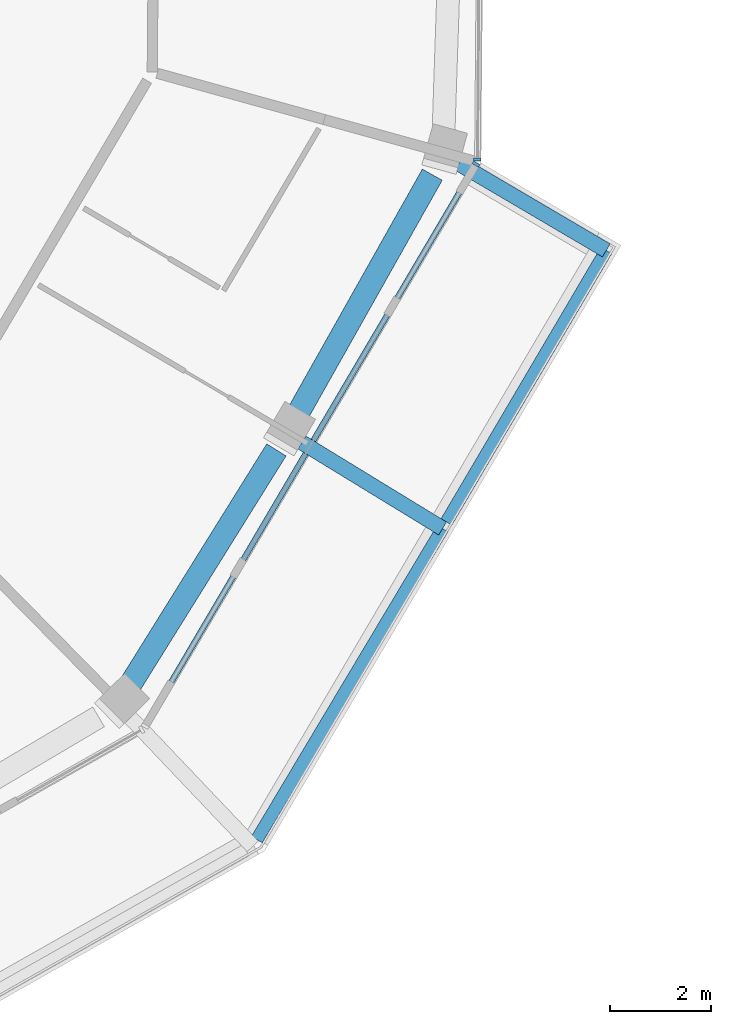
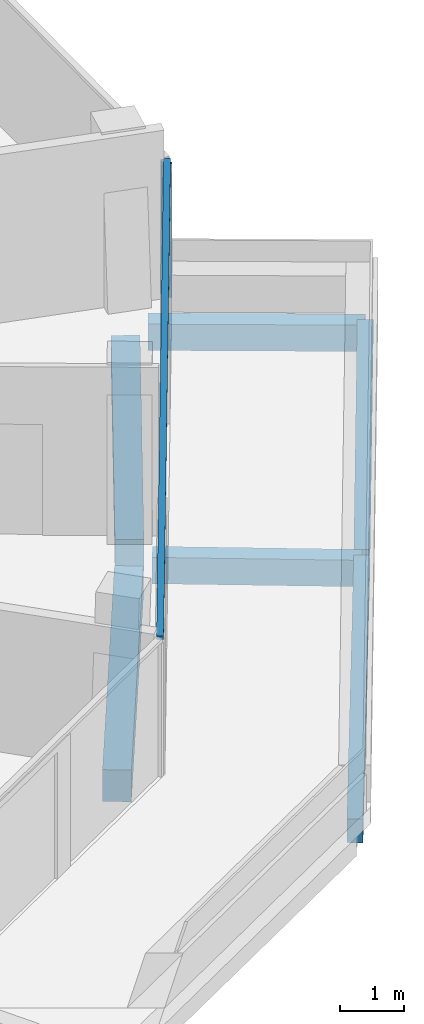
# One storey, part 5 of 24: 6 beams, 3 members, 2 elements without a shape of their own.
"""IFC4 building model written with IfcOpenShell, lengths in metres."""

from ifc_helpers import new_model, si_unit, direction, frame, origin, origin_2d, place, context, subcontext, project, spatial, rectangle, extrude, material, layer, layer_set, material_profile, profile_set, type_object, element, aggregate, save


model = new_model("IFC4")

# Units and contexts
model_context = context("Model", 3, precision=1e-05, world=origin(), true_north=direction((0.0, 1.0)))
body_context = subcontext(model_context, "Body", "Model", "MODEL_VIEW")
ifc_project = project(units=[si_unit("LENGTHUNIT", "METRE"), si_unit("AREAUNIT", "SQUARE_METRE"), si_unit("VOLUMEUNIT", "CUBIC_METRE"), si_unit("PLANEANGLEUNIT", "RADIAN"), si_unit("MASSUNIT", "GRAM", prefix="KILO")], contexts=[model_context])

# Site, building, storey
site_placement = place(None, origin())
site = spatial("IfcSite", under=ifc_project, at=site_placement, CompositionType="ELEMENT")
building_placement = place(site_placement, origin())
building = spatial("IfcBuilding", under=site, at=building_placement, Name="Verdalira Terraces Hotel", CompositionType="ELEMENT")
storey_placement = place(building_placement, frame((0.0, 0.0, 277.5)))
storey = spatial("IfcBuildingStorey", under=building, at=storey_placement, Name="L68", CompositionType="ELEMENT", Elevation=277.5)

# Beams
ifc_material_1 = material(Name="Concrete C40", Category="concrete")
ifc_material_profile_1 = material_profile(ifc_material_1, rectangle(XDim=0.300049, YDim=0.5, at=origin_2d()), Name="RC 300X500")
ifc_profile_set_1 = profile_set([ifc_material_profile_1], Name="Concrete C40")
beam_type_1 = type_object("IfcBeamType", Name="Balcony cantilever beam RC 300X500 C40", PredefinedType="BEAM", material=ifc_profile_set_1)
beam_1_placement = place(storey_placement, frame((20.669434, -12.213135, -0.560059), z_axis=(0.853209426, -0.521568477, 0.0), x_axis=(0.521568477, 0.853209426, 0.0)))
element("IfcBeam", 1, at=beam_1_placement, inside=storey, type_object=beam_type_1, Name="Balcony cantilever beam R25-4", PredefinedType="BEAM", context=body_context, shape_type="SweptSolid", body=[
    extrude(rectangle(XDim=0.300049, YDim=0.5, at=origin_2d()), origin(), (0.0, 0.0, 1.0), 3.250977),
])
beam_2_placement = place(storey_placement, frame((23.765625, -6.716309, -0.560059), z_axis=(0.86181501, -0.50722272, 0.0), x_axis=(0.50722272, 0.86181501, 0.0)))
element("IfcBeam", 2, at=beam_2_placement, inside=storey, type_object=beam_type_1, Name="Balcony cantilever beam R25-5", PredefinedType="BEAM", context=body_context, shape_type="SweptSolid", body=[
    extrude(rectangle(XDim=0.300049, YDim=0.5, at=origin_2d()), origin(), (0.0, 0.0, 1.0), 3.370361),
])
ifc_material_2 = material(Name="Concrete C40", Category="concrete")
ifc_material_profile_2 = material_profile(ifc_material_2, rectangle(XDim=0.25, YDim=0.449951, at=origin_2d()), Name="RC 250X450")
ifc_profile_set_2 = profile_set([ifc_material_profile_2], Name="Concrete C40")
beam_type_2 = type_object("IfcBeamType", Name="Balcony edge beam RC 250X450 C40", PredefinedType="BEAM", material=ifc_profile_set_2)
beam_3_placement = place(storey_placement, frame((19.780029, -20.042969, -0.534912), z_axis=(0.512695642, 0.858570427, 0.0), x_axis=(-0.858570427, 0.512695642, 0.0)))
element("IfcBeam", 3, at=beam_3_placement, inside=storey, type_object=beam_type_2, Name="Balcony edge beam R25-3", PredefinedType="BEAM", context=body_context, shape_type="SweptSolid", body=[
    extrude(rectangle(XDim=0.25, YDim=0.449951, at=origin_2d()), origin(), (0.0, 0.0, 1.0), 7.144775),
])
beam_4_placement = place(storey_placement, frame((23.519043, -13.779297, -0.534912), z_axis=(0.507258843, 0.861793749, 0.0), x_axis=(-0.861793749, 0.507258843, 0.0)))
element("IfcBeam", 4, at=beam_4_placement, inside=storey, type_object=beam_type_2, Name="Balcony edge beam R25-4", PredefinedType="BEAM", context=body_context, shape_type="SweptSolid", body=[
    extrude(rectangle(XDim=0.25, YDim=0.449951, at=origin_2d()), origin(), (0.0, 0.0, 1.0), 6.212158),
])

# Curtain wall, member
ifc_material_3 = material(Name="Clear glass", Category="glass")
ifc_layer = layer(ifc_material_3, 0.14990234375)
ifc_layer_set = layer_set([ifc_layer], Name="CW1 curtain wall")
curtain_wall_type = type_object("IfcCurtainWallType", Name="CW1 curtain wall", PredefinedType="NOTDEFINED", material=ifc_layer_set)
curtain_wall_1_placement = place(storey_placement, origin())
curtain_wall_1 = element("IfcCurtainWall", 5, at=curtain_wall_1_placement, inside=storey, type_object=curtain_wall_type, Name="CW1 curtain wall L68 edge 26", PredefinedType="NOTDEFINED")
ifc_material_4 = material(Name="Terracotta frame", Category="masonry")
ifc_material_profile_3 = material_profile(ifc_material_4, rectangle(XDim=0.060059, YDim=0.149902, at=origin_2d()), Name="MU 60x150")
ifc_profile_set_3 = profile_set([ifc_material_profile_3], Name="Terracotta frame")
member_type_1 = type_object("IfcMemberType", Name="CW1 mullion 60x150", PredefinedType="MULLION", material=ifc_profile_set_3)
member_1_placement = place(storey_placement, frame((24.102783, -6.725342, 0.0), z_axis=(0.0, 0.0, 1.0), x_axis=(0.507237567, 0.861806272, 0.0)))
member_1 = element("IfcMember", 6, at=member_1_placement, type_object=member_type_1, Name="CW1 mullion", PredefinedType="MULLION", context=body_context, shape_type="SweptSolid", body=[
    extrude(rectangle(XDim=0.060059, YDim=0.149902, at=origin_2d()), origin(), (0.0, 0.0, 1.0), 2.524902),
])

curtain_wall_2_placement = place(storey_placement, origin())
curtain_wall_2 = element("IfcCurtainWall", 7, at=curtain_wall_2_placement, inside=storey, type_object=curtain_wall_type, Name="CW1 curtain wall L68 edge 27", PredefinedType="NOTDEFINED")
member_2_placement = place(storey_placement, frame((24.128662, -6.63208, 0.0), z_axis=(0.0, 0.0, 1.0), x_axis=(0.008377482, 0.999964908, 0.0)))
member_2 = element("IfcMember", 8, at=member_2_placement, type_object=member_type_1, Name="CW1 mullion", PredefinedType="MULLION", context=body_context, shape_type="SweptSolid", body=[
    extrude(rectangle(XDim=0.060059, YDim=0.149902, at=origin_2d()), origin(), (0.0, 0.0, 1.0), 2.524902),
])
aggregate(curtain_wall_2, [member_2])

# Member
ifc_material_5 = material(Name="Terracotta frame", Category="masonry")
ifc_material_profile_4 = material_profile(ifc_material_5, rectangle(XDim=0.110107, YDim=0.064941, at=origin_2d()), Name="TR 65x110")
ifc_profile_set_4 = profile_set([ifc_material_profile_4], Name="Terracotta frame")
member_type_2 = type_object("IfcMemberType", Name="CW1 transom 65x110", PredefinedType="USERDEFINED", material=ifc_profile_set_4)
member_3_placement = place(storey_placement, frame((17.564697, -17.83374, 2.557617), z_axis=(0.507238132, 0.861805939, 0.0), x_axis=(-0.861805939, 0.507238132, 0.0)))
member_3 = element("IfcMember", 9, at=member_3_placement, type_object=member_type_2, Name="CW1 transom", ObjectType="TRANSOM", PredefinedType="USERDEFINED", context=body_context, shape_type="SweptSolid", body=[
    extrude(rectangle(XDim=0.110107, YDim=0.064941, at=origin_2d()), origin(), (0.0, 0.0, 1.0), 12.919434),
])

aggregate(curtain_wall_1, [member_1, member_3])

# Beams
ifc_material_6 = material(Name="Concrete C40", Category="concrete")
ifc_material_profile_5 = material_profile(ifc_material_6, rectangle(XDim=0.449951, YDim=0.600098, at=origin_2d()), Name="RC 450X600")
ifc_profile_set_5 = profile_set([ifc_material_profile_5], Name="Concrete C40")
beam_type_3 = type_object("IfcBeamType", Name="Spandrel beam RC 450X600 C40", PredefinedType="SPANDREL", material=ifc_profile_set_5)
beam_5_placement = place(storey_placement, frame((17.246094, -17.047607, -0.610107), z_axis=(0.528742932, 0.848782017, 0.0), x_axis=(-0.848782017, 0.528742932, 0.0)))
element("IfcBeam", 10, at=beam_5_placement, inside=storey, type_object=beam_type_3, Name="Spandrel beam B15", PredefinedType="SPANDREL", context=body_context, shape_type="SweptSolid", body=[
    extrude(rectangle(XDim=0.449951, YDim=0.600098, at=origin_2d()), origin(), (0.0, 0.0, 1.0), 5.523682),
])
beam_6_placement = place(storey_placement, frame((20.531006, -11.743896, -0.610107), z_axis=(0.490538323, 0.87141962, 0.0), x_axis=(-0.87141962, 0.490538323, 0.0)))
element("IfcBeam", 11, at=beam_6_placement, inside=storey, type_object=beam_type_3, Name="Spandrel beam B16", PredefinedType="SPANDREL", context=body_context, shape_type="SweptSolid", body=[
    extrude(rectangle(XDim=0.449951, YDim=0.600098, at=origin_2d()), origin(), (0.0, 0.0, 1.0), 5.521484),
])

save(model, "model.ifc")
